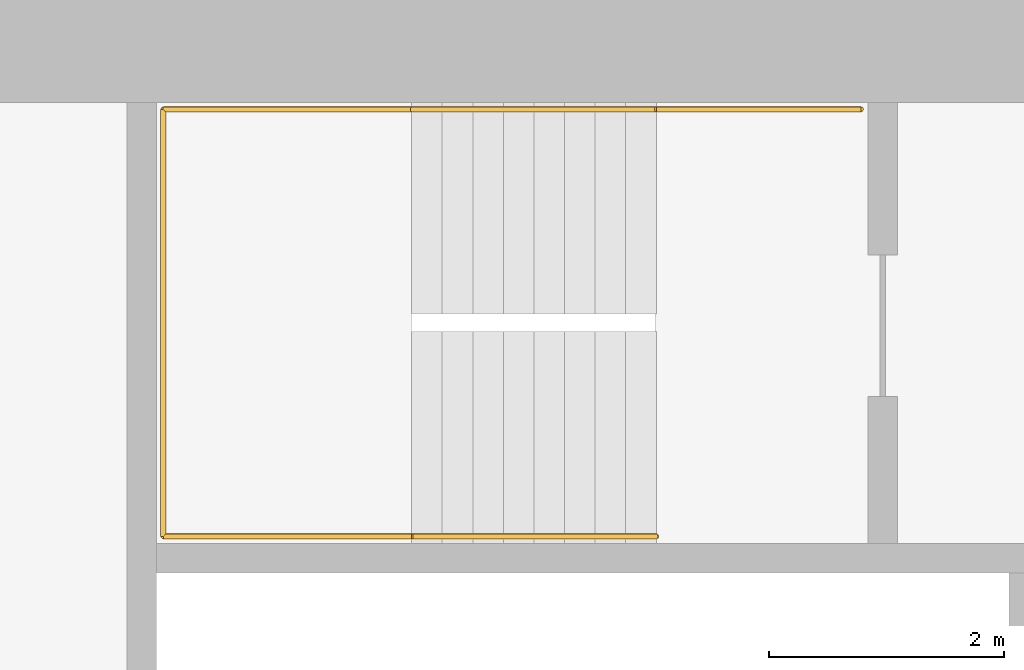
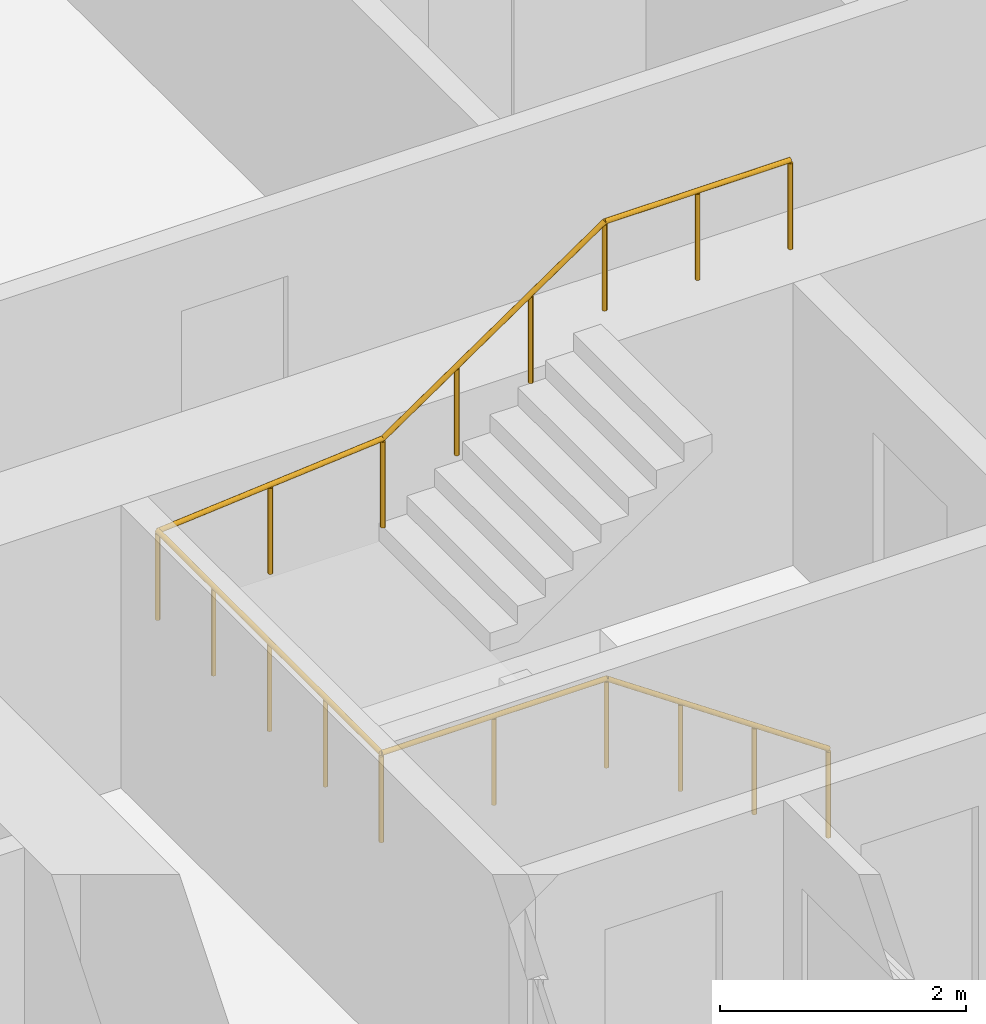
# One storey, part 29 of 35: 1 railing.
"""IFC4 building model written with IfcOpenShell, lengths in metres."""

from ifc_helpers import new_model, si_unit, direction, frame, origin, origin_2d, place, context, subcontext, project, spatial, circle, extrude, material, type_object, element, save


model = new_model("IFC4")

# Units and contexts
model_context = context("Model", 3, precision=1e-05, world=origin(), true_north=direction((0.0, 1.0)))
body_context = subcontext(model_context, "Body", "Model", "MODEL_VIEW")
ifc_project = project(units=[si_unit("LENGTHUNIT", "METRE"), si_unit("AREAUNIT", "SQUARE_METRE"), si_unit("VOLUMEUNIT", "CUBIC_METRE"), si_unit("PLANEANGLEUNIT", "RADIAN"), si_unit("MASSUNIT", "GRAM", prefix="KILO")], contexts=[model_context])

# Site, building, storey
site_placement = place(None, origin())
site = spatial("IfcSite", under=ifc_project, at=site_placement, CompositionType="ELEMENT")
building_placement = place(site_placement, origin())
building = spatial("IfcBuilding", under=site, at=building_placement, Name="Hakoniwa Tower and Hamabe Station Hall", CompositionType="ELEMENT")
storey_placement = place(building_placement, frame((0.0, 0.0, 51.800048828125)))
storey = spatial("IfcBuildingStorey", under=building, at=storey_placement, Name="L14", CompositionType="ELEMENT", Elevation=51.800048828125)

# Railing
ifc_material = material(Name="Stainless steel SUS304", Category="steel")
railing_type = type_object("IfcRailingType", Name="STAIR HANDRAIL 900", PredefinedType="HANDRAIL", material=ifc_material)
railing_placement = place(storey_placement, frame((24.39990234375, 3.81005859375, 0.177734375)))
element("IfcRailing", 1, at=railing_placement, inside=storey, type_object=railing_type, Name="Handrail ST-3 L14 1", PredefinedType="HANDRAIL", context=body_context, shape_type="SweptSolid", body=[
    extrude(circle(Radius=0.02392578125, at=origin_2d()), frame((0.0, 0.0, 0.8759765625), z_axis=(-0.825478349766, 0.0, 0.564433781827), x_axis=(0.0, -1.0, 0.0)), (0.0, 0.0, 1.0), 2.51953125),
    extrude(circle(Radius=0.02392578125, at=origin_2d()), frame((-2.079833984375, 0.0, 2.2978515625), z_axis=(-1.0, 0.0, 0.0), x_axis=(0.0, -1.0, 0.0)), (0.0, 0.0, 1.0), 2.110107421875),
    extrude(circle(Radius=0.02392578125, at=origin_2d()), frame((-4.18994140625, 0.0, 2.2978515625), z_axis=(0.0, 1.0, 0.0), x_axis=(-1.0, 0.0, 0.0)), (0.0, 0.0, 1.0), 3.6298828125),
    extrude(circle(Radius=0.02392578125, at=origin_2d()), frame((-4.18994140625, 3.6298828125, 2.2978515625), z_axis=(0.996461767938, 0.0, 0.084047278587), x_axis=(0.0, 1.0, 0.0)), (0.0, 0.0, 1.0), 2.11767578125),
    extrude(circle(Radius=0.02392578125, at=origin_2d()), frame((-2.079833984375, 3.6298828125, 2.47607421875), z_axis=(0.825478349766, 0.0, 0.564433781827), x_axis=(0.0, 1.0, 0.0)), (0.0, 0.0, 1.0), 2.51953125),
    extrude(circle(Radius=0.02392578125, at=origin_2d()), frame((0.0, 3.6298828125, 3.89794921875), z_axis=(1.0, 0.0, 0.0), x_axis=(0.0, 1.0, 0.0)), (0.0, 0.0, 1.0), 1.739990234375),
    extrude(circle(Radius=0.02099609375, at=origin_2d()), origin(), (0.0, 0.0, 1.0), 0.851806640625),
    extrude(circle(Radius=0.02099609375, at=origin_2d()), frame((-0.693359375, 0.0, 0.47412109375)), (0.0, 0.0, 1.0), 0.851806640625),
    extrude(circle(Radius=0.02099609375, at=origin_2d()), frame((-1.386474609375, 0.0, 0.947998046875)), (0.0, 0.0, 1.0), 0.851806640625),
    extrude(circle(Radius=0.02099609375, at=origin_2d()), frame((-2.079833984375, 0.0, 1.422119140625)), (0.0, 0.0, 1.0), 0.851806640625),
    extrude(circle(Radius=0.02099609375, at=origin_2d()), frame((-3.134765625, 0.0, 1.422119140625)), (0.0, 0.0, 1.0), 0.851806640625),
    extrude(circle(Radius=0.02099609375, at=origin_2d()), frame((-4.18994140625, 0.0, 1.422119140625)), (0.0, 0.0, 1.0), 0.851806640625),
    extrude(circle(Radius=0.02099609375, at=origin_2d()), frame((-4.18994140625, 0.907470703125, 1.422119140625)), (0.0, 0.0, 1.0), 0.851806640625),
    extrude(circle(Radius=0.02099609375, at=origin_2d()), frame((-4.18994140625, 1.81494140625, 1.422119140625)), (0.0, 0.0, 1.0), 0.851806640625),
    extrude(circle(Radius=0.02099609375, at=origin_2d()), frame((-4.18994140625, 2.722412109375, 1.422119140625)), (0.0, 0.0, 1.0), 0.851806640625),
    extrude(circle(Radius=0.02099609375, at=origin_2d()), frame((-4.18994140625, 3.6298828125, 1.422119140625)), (0.0, 0.0, 1.0), 0.851806640625),
    extrude(circle(Radius=0.02099609375, at=origin_2d()), frame((-3.134765625, 3.6298828125, 1.51123046875)), (0.0, 0.0, 1.0), 0.851806640625),
    extrude(circle(Radius=0.02099609375, at=origin_2d()), frame((-2.079833984375, 3.6298828125, 1.60009765625)), (0.0, 0.0, 1.0), 0.851806640625),
    extrude(circle(Radius=0.02099609375, at=origin_2d()), frame((-1.386474609375, 3.6298828125, 2.07421875)), (0.0, 0.0, 1.0), 0.851806640625),
    extrude(circle(Radius=0.02099609375, at=origin_2d()), frame((-0.693359375, 3.6298828125, 2.548095703125)), (0.0, 0.0, 1.0), 0.851806640625),
    extrude(circle(Radius=0.02099609375, at=origin_2d()), frame((0.0, 3.6298828125, 3.022216796875)), (0.0, 0.0, 1.0), 0.851806640625),
    extrude(circle(Radius=0.02099609375, at=origin_2d()), frame((0.8701171875, 3.6298828125, 3.022216796875)), (0.0, 0.0, 1.0), 0.851806640625),
    extrude(circle(Radius=0.02099609375, at=origin_2d()), frame((1.739990234375, 3.6298828125, 3.022216796875)), (0.0, 0.0, 1.0), 0.851806640625),
])

save(model, "model.ifc")
